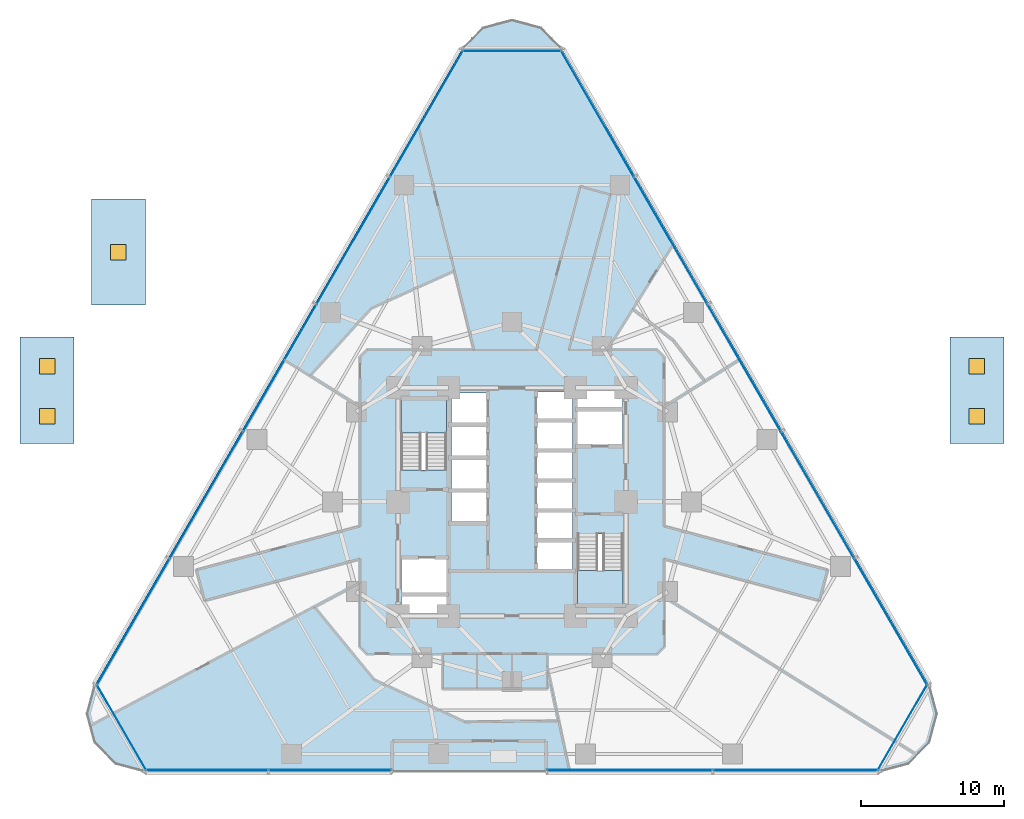
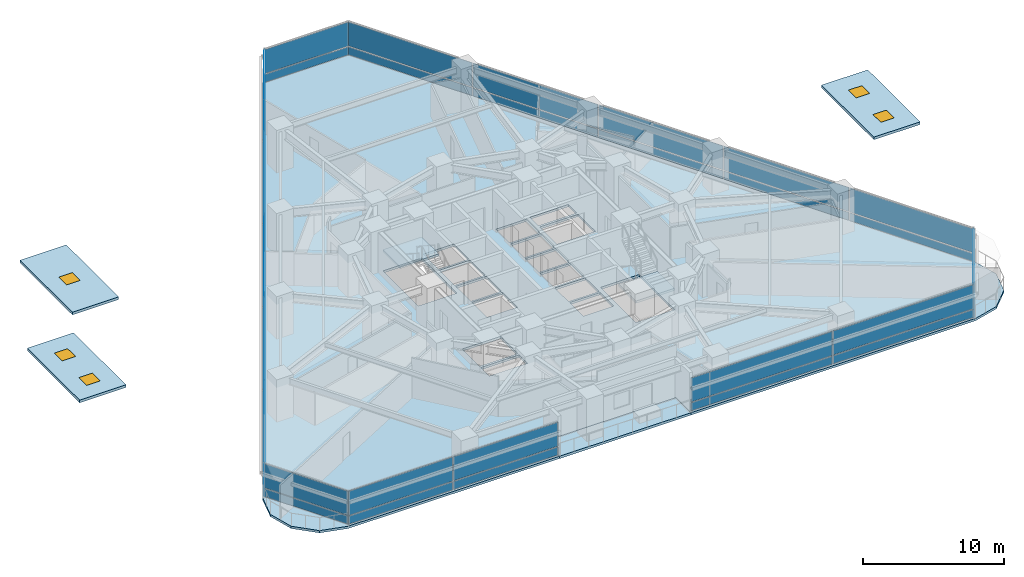
# One storey, part 7 of 16: 34 plates, 7 slabs, 5 doors, 5 openings, 9 elements without a shape of their own.
"""IFC4 building model written with IfcOpenShell, lengths in metres."""

from ifc_helpers import new_model, si_unit, direction, frame, origin, origin_2d, place, context, subcontext, project, spatial, polyline, rectangle, outline, extrude, material, layer, layer_set, type_object, element, fill, aggregate, save


model = new_model("IFC4")

# Units and contexts
model_context = context("Model", 3, precision=1e-05, world=origin(), true_north=direction((0.0, 1.0)))
body_context = subcontext(model_context, "Body", "Model", "MODEL_VIEW")
ifc_project = project(units=[si_unit("LENGTHUNIT", "METRE"), si_unit("AREAUNIT", "SQUARE_METRE"), si_unit("VOLUMEUNIT", "CUBIC_METRE"), si_unit("PLANEANGLEUNIT", "RADIAN"), si_unit("MASSUNIT", "GRAM", prefix="KILO")], contexts=[model_context])

# Site, building, storey
site_placement = place(None, origin())
site = spatial("IfcSite", under=ifc_project, at=site_placement, CompositionType="ELEMENT")
building_placement = place(site_placement, origin())
building = spatial("IfcBuilding", under=site, at=building_placement, Name="Terralouvre Media Tower", CompositionType="ELEMENT")
storey_placement = place(building_placement, frame((0.0, 0.0, 29.699951171875)))
storey = spatial("IfcBuildingStorey", under=building, at=storey_placement, Name="L06", CompositionType="ELEMENT", Elevation=29.699951171875)

# Slab
ifc_material_1 = material(Name="Concrete C40/50", Category="concrete")
ifc_layer_1 = layer(ifc_material_1, 0.199951171875, Name="Composite Tower Floor Slab S-TYP200")
ifc_layer_set_1 = layer_set([ifc_layer_1], Name="Concrete C40/50")
slab_type_1 = type_object("IfcSlabType", Name="Composite Tower Floor Slab S-TYP200", PredefinedType="FLOOR", material=ifc_layer_set_1)
slab_1_placement = place(storey_placement, frame((0.0, 0.0, -0.199951171875)))
element("IfcSlab", 1, at=slab_1_placement, inside=storey, type_object=slab_type_1, Name="L06 Structural Floor Slab", PredefinedType="FLOOR", context=body_context, shape_type="SweptSolid", body=[
    extrude(outline(polyline([(-25.75, -18.916748046875), (-8.39990234375, -18.916748046875), (-8.39990234375, -16.766845703125), (2.39990234375, -16.766845703125), (2.39990234375, -18.916748046875), (25.75, -18.916748046875), (27.77490234375, -18.374267578125), (29.25732421875, -16.891845703125), (29.800048828125, -14.86669921875), (29.25732421875, -12.841796875), (3.50732421875, 31.758544921875), (2.02490234375, 33.240966796875), (0.0, 33.783447265625), (-2.02490234375, 33.240966796875), (-3.50732421875, 31.758544921875), (-29.25732421875, -12.841796875), (-29.800048828125, -14.86669921875), (-29.25732421875, -16.891845703125), (-27.77490234375, -18.374267578125), (-25.75, -18.916748046875)]), holes=[polyline([(-4.60009765625, -7.800048828125), (-7.75, -7.800048828125), (-7.75, -6.60009765625), (-4.60009765625, -6.60009765625), (-4.60009765625, -7.800048828125)]), polyline([(-4.60009765625, -6.39990234375), (-7.75, -6.39990234375), (-7.75, -3.949951171875), (-4.60009765625, -3.949951171875), (-4.60009765625, -6.39990234375)]), polyline([(-1.75, -1.419921875), (-4.25, -1.419921875), (-4.25, 0.719970703125), (-1.75, 0.719970703125), (-1.75, -1.419921875)]), polyline([(-1.75, 0.8798828125), (-4.25, 0.8798828125), (-4.25, 3.02001953125), (-1.75, 3.02001953125), (-1.75, 0.8798828125)]), polyline([(4.25, 1.580078125), (1.75, 1.580078125), (1.75, 3.52001953125), (4.25, 3.52001953125), (4.25, 1.580078125)]), polyline([(-1.75, 3.179931640625), (-4.25, 3.179931640625), (-4.25, 5.320068359375), (-1.75, 5.320068359375), (-1.75, 3.179931640625)]), polyline([(-4.60009765625, 2.2451171875), (-7.780029296875, 2.2451171875), (-7.780029296875, 7.260009765625), (-4.60009765625, 7.260009765625), (-4.60009765625, 2.2451171875)]), polyline([(-1.75, 5.47998046875), (-4.25, 5.47998046875), (-4.25, 7.6201171875), (-1.75, 7.6201171875), (-1.75, 5.47998046875)]), polyline([(4.60009765625, -2.2451171875), (7.780029296875, -2.2451171875), (7.780029296875, -7.260009765625), (4.60009765625, -7.260009765625), (4.60009765625, -2.2451171875)]), polyline([(4.25, -4.719970703125), (1.75, -4.719970703125), (1.75, -2.780029296875), (4.25, -2.780029296875), (4.25, -4.719970703125)]), polyline([(4.25, -2.6201171875), (1.75, -2.6201171875), (1.75, -0.679931640625), (4.25, -0.679931640625), (4.25, -2.6201171875)]), polyline([(4.25, -0.52001953125), (1.75, -0.52001953125), (1.75, 1.419921875), (4.25, 1.419921875), (4.25, -0.52001953125)]), polyline([(4.25, 3.679931640625), (1.75, 3.679931640625), (1.75, 5.6201171875), (4.25, 5.6201171875), (4.25, 3.679931640625)]), polyline([(7.75, 3.949951171875), (4.60009765625, 3.949951171875), (4.60009765625, 6.39990234375), (7.75, 6.39990234375), (7.75, 3.949951171875)]), polyline([(4.25, 5.780029296875), (1.75, 5.780029296875), (1.75, 7.719970703125), (4.25, 7.719970703125), (4.25, 5.780029296875)]), polyline([(7.75, 6.60009765625), (4.60009765625, 6.60009765625), (4.60009765625, 7.800048828125), (7.75, 7.800048828125), (7.75, 6.60009765625)])]), origin(), (0.0, 0.0, 1.0), 0.199951171875),
])

# Slab, openings, doors
ifc_material_2 = material(Name="Concrete C40/50", Category="concrete")
ifc_layer_2 = layer(ifc_material_2, 0.179931640625, Name="Crown Apex Roof Cap Slab S-CAP180")
ifc_layer_set_2 = layer_set([ifc_layer_2], Name="Concrete C40/50")
slab_type_2 = type_object("IfcSlabType", Name="Crown Apex Roof Cap Slab S-CAP180", PredefinedType="ROOF", material=ifc_layer_set_2)
slab_2_placement = place(storey_placement, frame((0.0, 0.0, -0.179931640625)))
slab_2 = element("IfcSlab", 2, at=slab_2_placement, inside=storey, type_object=slab_type_2, Name="L06 ST03 Pavilion Headhouse Cap Slab", PredefinedType="ROOF", context=body_context, shape_type="SweptSolid", body=[
    extrude(outline(polyline([(-34.5, 4.10009765625), (-30.699951171875, 4.10009765625), (-30.699951171875, 11.550048828125), (-34.5, 11.550048828125), (-34.5, 4.10009765625)])), origin(), (0.0, 0.0, 1.0), 0.22998046875),
])
opening_1_placement = place(slab_2_placement, frame((-32.60009765625, 6.0, 0.0)))
opening_1 = element("IfcOpeningElement", 3, at=opening_1_placement, cuts=slab_2, Name="Opening RH-01", PredefinedType="OPENING", context=body_context, shape_type="SweptSolid", body=[
    extrude(rectangle(XDim=1.10009765625, YDim=1.10009765625, at=origin_2d()), origin(), (0.0, 0.0, 1.0), 0.22998046875),
])
opening_2_placement = place(slab_2_placement, frame((-32.60009765625, 9.5, 0.0)))
opening_2 = element("IfcOpeningElement", 4, at=opening_2_placement, cuts=slab_2, Name="Opening RH-01", PredefinedType="OPENING", context=body_context, shape_type="SweptSolid", body=[
    extrude(rectangle(XDim=1.10009765625, YDim=1.10009765625, at=origin_2d()), origin(), (0.0, 0.0, 1.0), 0.22998046875),
])
ifc_material_3 = material(Name="Galvanised steel sheet and fire-rated mineral core", Category="steel")
door_type = type_object("IfcDoorType", Name="Insulated Roof Maintenance Access Hatch RH-01", OperationType="NOTDEFINED", PredefinedType="TRAPDOOR", material=ifc_material_3)
door_1_placement = place(opening_1_placement, frame((0.0, 0.0, 0.179931640625)))
door_1 = element("IfcDoor", 5, at=door_1_placement, inside=storey, type_object=door_type, Name="ST-03 Headhouse South Maintenance Hatch", OperationType="SINGLE_SWING_LEFT", OverallHeight=1.10009765625, OverallWidth=1.10009765625, PredefinedType="TRAPDOOR", context=body_context, shape_type="SweptSolid", body=[
    extrude(rectangle(XDim=1.10009765625, YDim=1.10009765625, at=origin_2d()), origin(), (0.0, 0.0, 1.0), 0.050048828125),
])
fill(opening_1, door_1)
door_2_placement = place(opening_2_placement, frame((0.0, 0.0, 0.179931640625)))
door_2 = element("IfcDoor", 6, at=door_2_placement, inside=storey, type_object=door_type, Name="ST-03 Headhouse North Maintenance Hatch", OperationType="SINGLE_SWING_LEFT", OverallHeight=1.10009765625, OverallWidth=1.10009765625, PredefinedType="TRAPDOOR", context=body_context, shape_type="SweptSolid", body=[
    extrude(rectangle(XDim=1.10009765625, YDim=1.10009765625, at=origin_2d()), origin(), (0.0, 0.0, 1.0), 0.050048828125),
])
fill(opening_2, door_2)

slab_3_placement = place(storey_placement, frame((0.0, 0.0, -0.179931640625)))
slab_3 = element("IfcSlab", 7, at=slab_3_placement, inside=storey, type_object=slab_type_2, Name="L06 ST04 Pavilion Headhouse Cap Slab", PredefinedType="ROOF", context=body_context, shape_type="SweptSolid", body=[
    extrude(outline(polyline([(30.699951171875, 4.10009765625), (34.5, 4.10009765625), (34.5, 11.550048828125), (30.699951171875, 11.550048828125), (30.699951171875, 4.10009765625)])), origin(), (0.0, 0.0, 1.0), 0.22998046875),
])
opening_3_placement = place(slab_3_placement, frame((32.60009765625, 6.0, 0.0)))
opening_3 = element("IfcOpeningElement", 8, at=opening_3_placement, cuts=slab_3, Name="Opening RH-01", PredefinedType="OPENING", context=body_context, shape_type="SweptSolid", body=[
    extrude(rectangle(XDim=1.10009765625, YDim=1.10009765625, at=origin_2d()), origin(), (0.0, 0.0, 1.0), 0.22998046875),
])
opening_4_placement = place(slab_3_placement, frame((32.60009765625, 9.5, 0.0)))
opening_4 = element("IfcOpeningElement", 9, at=opening_4_placement, cuts=slab_3, Name="Opening RH-01", PredefinedType="OPENING", context=body_context, shape_type="SweptSolid", body=[
    extrude(rectangle(XDim=1.10009765625, YDim=1.10009765625, at=origin_2d()), origin(), (0.0, 0.0, 1.0), 0.22998046875),
])
door_3_placement = place(opening_3_placement, frame((0.0, 0.0, 0.179931640625)))
door_3 = element("IfcDoor", 10, at=door_3_placement, inside=storey, type_object=door_type, Name="ST-04 Headhouse South Maintenance Hatch", OperationType="SINGLE_SWING_LEFT", OverallHeight=1.10009765625, OverallWidth=1.10009765625, PredefinedType="TRAPDOOR", context=body_context, shape_type="SweptSolid", body=[
    extrude(rectangle(XDim=1.10009765625, YDim=1.10009765625, at=origin_2d()), origin(), (0.0, 0.0, 1.0), 0.050048828125),
])
fill(opening_3, door_3)
door_4_placement = place(opening_4_placement, frame((0.0, 0.0, 0.179931640625)))
door_4 = element("IfcDoor", 11, at=door_4_placement, inside=storey, type_object=door_type, Name="ST-04 Headhouse North Maintenance Hatch", OperationType="SINGLE_SWING_LEFT", OverallHeight=1.10009765625, OverallWidth=1.10009765625, PredefinedType="TRAPDOOR", context=body_context, shape_type="SweptSolid", body=[
    extrude(rectangle(XDim=1.10009765625, YDim=1.10009765625, at=origin_2d()), origin(), (0.0, 0.0, 1.0), 0.050048828125),
])
fill(opening_4, door_4)

# Slab, opening, door
slab_4_placement = place(storey_placement, frame((0.0, 0.0, -0.179931640625)))
slab_4 = element("IfcSlab", 12, at=slab_4_placement, inside=storey, type_object=slab_type_2, Name="L06 ST06 Pavilion Headhouse Cap Slab", PredefinedType="ROOF", context=body_context, shape_type="SweptSolid", body=[
    extrude(outline(polyline([(-29.5, 13.800048828125), (-25.699951171875, 13.800048828125), (-25.699951171875, 21.25), (-29.5, 21.25), (-29.5, 13.800048828125)])), origin(), (0.0, 0.0, 1.0), 0.22998046875),
])
opening_5_placement = place(slab_4_placement, frame((-27.60009765625, 17.5, 0.0)))
opening_5 = element("IfcOpeningElement", 13, at=opening_5_placement, cuts=slab_4, Name="Opening RH-01", PredefinedType="OPENING", context=body_context, shape_type="SweptSolid", body=[
    extrude(rectangle(XDim=1.10009765625, YDim=1.10009765625, at=origin_2d()), origin(), (0.0, 0.0, 1.0), 0.22998046875),
])
door_5_placement = place(opening_5_placement, frame((0.0, 0.0, 0.179931640625)))
door_5 = element("IfcDoor", 14, at=door_5_placement, inside=storey, type_object=door_type, Name="ST-06 Headhouse Maintenance Hatch", OperationType="SINGLE_SWING_LEFT", OverallHeight=1.10009765625, OverallWidth=1.10009765625, PredefinedType="TRAPDOOR", context=body_context, shape_type="SweptSolid", body=[
    extrude(rectangle(XDim=1.10009765625, YDim=1.10009765625, at=origin_2d()), origin(), (0.0, 0.0, 1.0), 0.050048828125),
])
fill(opening_5, door_5)

# Slab
ifc_material_4 = material(Name="Concrete C45/55", Category="concrete")
ifc_layer_3 = layer(ifc_material_4, 0.2099609375, Name="Planted Sky-Garden External Deck S-TER210")
ifc_layer_set_3 = layer_set([ifc_layer_3], Name="Concrete C45/55")
slab_type_3 = type_object("IfcSlabType", Name="Planted Sky-Garden External Deck S-TER210", PredefinedType="FLOOR", material=ifc_layer_set_3)
slab_5_placement = place(storey_placement, frame((0.0, 0.0, -0.2099609375)))
element("IfcSlab", 15, at=slab_5_placement, inside=storey, type_object=slab_type_3, Name="L06 Helical Planted Sky-Garden Deck 01", PredefinedType="FLOOR", context=body_context, shape_type="SweptSolid", body=[
    extrude(outline(polyline([(-8.39990234375, -18.916748046875), (2.39990234375, -18.916748046875), (2.39990234375, -16.766845703125), (-8.39990234375, -16.766845703125), (-8.39990234375, -18.916748046875)])), origin(), (0.0, 0.0, 1.0), 0.2099609375),
])

# Stair, slab
ifc_material_5 = material(Name="Concrete C45/55", Category="concrete")
stair_type_1 = type_object("IfcStairType", Name="Dogleg Stair Assembly ST-01", PredefinedType="HALF_TURN_STAIR", material=ifc_material_5)
stair_1_placement = place(storey_placement, origin())
stair_1 = element("IfcStair", 16, at=stair_1_placement, inside=storey, type_object=stair_type_1, Name="L06 Core Pressurised Exit Stair ST-01", PredefinedType="HALF_TURN_STAIR")
ifc_material_6 = material(Name="Concrete C45/55", Category="concrete")
ifc_layer_4 = layer(ifc_material_6, 0.199951171875, Name="Reinforced Concrete Stair Half-Landing SL-LD1")
ifc_layer_set_4 = layer_set([ifc_layer_4], Name="Concrete C45/55")
slab_type_4 = type_object("IfcSlabType", Name="Reinforced Concrete Stair Half-Landing SL-LD1", PredefinedType="LANDING", material=ifc_layer_set_4)
slab_6_placement = place(storey_placement, frame((0.0, 0.0, 1.650146484375)))
slab_6 = element("IfcSlab", 17, at=slab_6_placement, type_object=slab_type_4, Name="ST-01 landing 1", PredefinedType="LANDING", context=body_context, shape_type="SweptSolid", body=[
    extrude(outline(polyline([(-4.60009765625, 4.820068359375), (-4.60009765625, 7.260009765625), (-7.780029296875, 7.260009765625), (-7.780029296875, 4.820068359375), (-4.60009765625, 4.820068359375)])), origin(), (0.0, 0.0, 1.0), 0.199951171875),
])
aggregate(stair_1, [slab_6])

ifc_material_7 = material(Name="Concrete C45/55", Category="concrete")
stair_type_2 = type_object("IfcStairType", Name="Dogleg Stair Assembly ST-02", PredefinedType="HALF_TURN_STAIR", material=ifc_material_7)
stair_2_placement = place(storey_placement, origin())
stair_2 = element("IfcStair", 18, at=stair_2_placement, inside=storey, type_object=stair_type_2, Name="L06 Core Pressurised Exit Stair ST-02", PredefinedType="HALF_TURN_STAIR")
slab_7_placement = place(storey_placement, frame((0.0, 0.0, 1.650146484375)))
slab_7 = element("IfcSlab", 19, at=slab_7_placement, type_object=slab_type_4, Name="ST-02 landing 1", PredefinedType="LANDING", context=body_context, shape_type="SweptSolid", body=[
    extrude(outline(polyline([(4.60009765625, -4.820068359375), (4.60009765625, -7.260009765625), (7.780029296875, -7.260009765625), (7.780029296875, -4.820068359375), (4.60009765625, -4.820068359375)])), origin(), (0.0, 0.0, 1.0), 0.199951171875),
])
aggregate(stair_2, [slab_7])

# Curtain wall, plates
ifc_material_8 = material(Name="Low-iron laminated double glazing with solar-control coating", Category="glass")
ifc_layer_5 = layer(ifc_material_8, 0.1650390625, Name="Rounded Wind-Corner Curved Glazing CW-04")
ifc_layer_set_5 = layer_set([ifc_layer_5], Name="Low-iron laminated double glazing with solar-control coating")
curtain_wall_type_1 = type_object("IfcCurtainWallType", Name="Rounded Wind-Corner Curved Glazing CW-04", PredefinedType="NOTDEFINED", material=ifc_layer_set_5)
curtain_wall_1_placement = place(storey_placement, origin())
curtain_wall_1 = element("IfcCurtainWall", 20, at=curtain_wall_1_placement, inside=storey, type_object=curtain_wall_type_1, Name="L06 Rounded Wind-Corner Curtain Wall C0", PredefinedType="NOTDEFINED")
ifc_material_9 = material(Name="Low-iron laminated double glazing with solar-control coating", Category="glass")
ifc_layer_6 = layer(ifc_material_9, 0.0400390625, Name="Rounded Corner Laminated Vision Panel CWP-03")
ifc_layer_set_6 = layer_set([ifc_layer_6], Name="Low-iron laminated double glazing with solar-control coating")
plate_type_1 = type_object("IfcPlateType", Name="Rounded Corner Laminated Vision Panel CWP-03", PredefinedType="CURTAIN_PANEL", material=ifc_layer_set_6)
plate_1_placement = place(storey_placement, frame((-27.382568359375, -15.809326171875, 0.074951171875), z_axis=(0.0, 0.0, 1.0), x_axis=(0.499999691503, -0.866025581895, 0.0)))
plate_1 = element("IfcPlate", 21, at=plate_1_placement, type_object=plate_type_1, Name="CW-04 panel 1.1", PredefinedType="CURTAIN_PANEL", context=body_context, shape_type="SweptSolid", body=[
    extrude(rectangle(XDim=6.86474609375, YDim=0.035888671875, at=origin_2d()), origin(), (0.0, 0.0, 1.0), 0.6875),
])
plate_2_placement = place(storey_placement, frame((-27.382568359375, -15.809326171875, 0.837646484375), z_axis=(0.0, 0.0, 1.0), x_axis=(0.499999691503, -0.866025581895, 0.0)))
plate_2 = element("IfcPlate", 22, at=plate_2_placement, type_object=plate_type_1, Name="CW-04 panel 1.2", PredefinedType="CURTAIN_PANEL", context=body_context, shape_type="SweptSolid", body=[
    extrude(rectangle(XDim=6.86474609375, YDim=0.035888671875, at=origin_2d()), origin(), (0.0, 0.0, 1.0), 2.08740234375),
])
aggregate(curtain_wall_1, [plate_1, plate_2])

curtain_wall_2_placement = place(storey_placement, origin())
curtain_wall_2 = element("IfcCurtainWall", 23, at=curtain_wall_2_placement, inside=storey, type_object=curtain_wall_type_1, Name="L06 Rounded Wind-Corner Curtain Wall C1", PredefinedType="NOTDEFINED")
plate_3_placement = place(storey_placement, frame((27.382568359375, -15.809326171875, 0.074951171875), z_axis=(0.0, 0.0, 1.0), x_axis=(0.499999691503, 0.866025581895, 0.0)))
plate_3 = element("IfcPlate", 24, at=plate_3_placement, type_object=plate_type_1, Name="CW-04 panel 1.1", PredefinedType="CURTAIN_PANEL", context=body_context, shape_type="SweptSolid", body=[
    extrude(rectangle(XDim=6.86474609375, YDim=0.035888671875, at=origin_2d()), origin(), (0.0, 0.0, 1.0), 0.6875),
])
plate_4_placement = place(storey_placement, frame((27.382568359375, -15.809326171875, 0.837646484375), z_axis=(0.0, 0.0, 1.0), x_axis=(0.499999691503, 0.866025581895, 0.0)))
plate_4 = element("IfcPlate", 25, at=plate_4_placement, type_object=plate_type_1, Name="CW-04 panel 1.2", PredefinedType="CURTAIN_PANEL", context=body_context, shape_type="SweptSolid", body=[
    extrude(rectangle(XDim=6.86474609375, YDim=0.035888671875, at=origin_2d()), origin(), (0.0, 0.0, 1.0), 2.08740234375),
])
aggregate(curtain_wall_2, [plate_3, plate_4])

curtain_wall_3_placement = place(storey_placement, origin())
curtain_wall_3 = element("IfcCurtainWall", 26, at=curtain_wall_3_placement, inside=storey, type_object=curtain_wall_type_1, Name="L06 Rounded Wind-Corner Curtain Wall C2", PredefinedType="NOTDEFINED")
plate_5_placement = place(storey_placement, frame((0.0, 31.61865234375, 0.074951171875), z_axis=(0.0, 0.0, 1.0), x_axis=(-1.0, 0.0, 0.0)))
plate_5 = element("IfcPlate", 27, at=plate_5_placement, type_object=plate_type_1, Name="CW-04 panel 1.1", PredefinedType="CURTAIN_PANEL", context=body_context, shape_type="SweptSolid", body=[
    extrude(rectangle(XDim=6.86474609375, YDim=0.035888671875, at=origin_2d()), origin(), (0.0, 0.0, 1.0), 0.6875),
])
plate_6_placement = place(storey_placement, frame((0.0, 31.61865234375, 0.837646484375), z_axis=(0.0, 0.0, 1.0), x_axis=(-1.0, 0.0, 0.0)))
plate_6 = element("IfcPlate", 28, at=plate_6_placement, type_object=plate_type_1, Name="CW-04 panel 1.2", PredefinedType="CURTAIN_PANEL", context=body_context, shape_type="SweptSolid", body=[
    extrude(rectangle(XDim=6.86474609375, YDim=0.035888671875, at=origin_2d()), origin(), (0.0, 0.0, 1.0), 2.08740234375),
])
aggregate(curtain_wall_3, [plate_5, plate_6])

ifc_material_10 = material(Name="Low-iron laminated double glazing with solar-control coating", Category="glass")
ifc_layer_7 = layer(ifc_material_10, 0.1650390625, Name="Lower Media Tower Unitised Curtain Wall CW-02")
ifc_layer_set_7 = layer_set([ifc_layer_7], Name="Low-iron laminated double glazing with solar-control coating")
curtain_wall_type_2 = type_object("IfcCurtainWallType", Name="Lower Media Tower Unitised Curtain Wall CW-02", PredefinedType="NOTDEFINED", material=ifc_layer_set_7)
curtain_wall_4_placement = place(storey_placement, origin())
curtain_wall_4 = element("IfcCurtainWall", 29, at=curtain_wall_4_placement, inside=storey, type_object=curtain_wall_type_2, Name="L06 Left Flank Curtain Wall F0", PredefinedType="NOTDEFINED")
ifc_material_11 = material(Name="Low-iron laminated double glazing with solar-control coating", Category="glass")
ifc_layer_8 = layer(ifc_material_11, 0.035888671875, Name="Vision Double-Glazed Unit CWP-01")
ifc_layer_set_8 = layer_set([ifc_layer_8], Name="Low-iron laminated double glazing with solar-control coating")
plate_type_2 = type_object("IfcPlateType", Name="Vision Double-Glazed Unit CWP-01", PredefinedType="CURTAIN_PANEL", material=ifc_layer_set_8)
plate_7_placement = place(storey_placement, frame((-21.393798828125, -18.796875, 0.074951171875), z_axis=(0.0, 0.0, 1.0), x_axis=(1.0, 0.0, 0.0)))
plate_7 = element("IfcPlate", 30, at=plate_7_placement, type_object=plate_type_2, Name="CW-02 panel 1.1", PredefinedType="CURTAIN_PANEL", context=body_context, shape_type="SweptSolid", body=[
    extrude(rectangle(XDim=8.5625, YDim=0.035888671875, at=origin_2d()), origin(), (0.0, 0.0, 1.0), 0.6875),
])
plate_8_placement = place(storey_placement, frame((-21.393798828125, -18.796875, 0.837646484375), z_axis=(0.0, 0.0, 1.0), x_axis=(1.0, 0.0, 0.0)))
plate_8 = element("IfcPlate", 31, at=plate_8_placement, type_object=plate_type_2, Name="CW-02 panel 1.2", PredefinedType="CURTAIN_PANEL", context=body_context, shape_type="SweptSolid", body=[
    extrude(rectangle(XDim=8.5625, YDim=0.035888671875, at=origin_2d()), origin(), (0.0, 0.0, 1.0), 2.08740234375),
])
plate_9_placement = place(storey_placement, frame((-12.75634765625, -18.796875, 0.074951171875), z_axis=(0.0, 0.0, 1.0), x_axis=(1.0, 0.0, 0.0)))
plate_9 = element("IfcPlate", 32, at=plate_9_placement, type_object=plate_type_2, Name="CW-02 panel 2.1", PredefinedType="CURTAIN_PANEL", context=body_context, shape_type="SweptSolid", body=[
    extrude(rectangle(XDim=8.5625, YDim=0.035888671875, at=origin_2d()), origin(), (0.0, 0.0, 1.0), 0.6875),
])
plate_10_placement = place(storey_placement, frame((-12.75634765625, -18.796875, 0.837646484375), z_axis=(0.0, 0.0, 1.0), x_axis=(1.0, 0.0, 0.0)))
plate_10 = element("IfcPlate", 33, at=plate_10_placement, type_object=plate_type_2, Name="CW-02 panel 2.2", PredefinedType="CURTAIN_PANEL", context=body_context, shape_type="SweptSolid", body=[
    extrude(rectangle(XDim=8.5625, YDim=0.035888671875, at=origin_2d()), origin(), (0.0, 0.0, 1.0), 2.08740234375),
])
aggregate(curtain_wall_4, [plate_7, plate_8, plate_9, plate_10])

curtain_wall_5_placement = place(storey_placement, origin())
curtain_wall_5 = element("IfcCurtainWall", 34, at=curtain_wall_5_placement, inside=storey, type_object=curtain_wall_type_2, Name="L06 Right Flank Curtain Wall F0", PredefinedType="NOTDEFINED")
plate_11_placement = place(storey_placement, frame((8.25634765625, -18.796875, 0.074951171875), z_axis=(0.0, 0.0, 1.0), x_axis=(1.0, 0.0, 0.0)))
plate_11 = element("IfcPlate", 35, at=plate_11_placement, type_object=plate_type_2, Name="CW-02 panel 1.1", PredefinedType="CURTAIN_PANEL", context=body_context, shape_type="SweptSolid", body=[
    extrude(rectangle(XDim=11.5625, YDim=0.035888671875, at=origin_2d()), origin(), (0.0, 0.0, 1.0), 0.6875),
])
plate_12_placement = place(storey_placement, frame((8.25634765625, -18.796875, 0.837646484375), z_axis=(0.0, 0.0, 1.0), x_axis=(1.0, 0.0, 0.0)))
plate_12 = element("IfcPlate", 36, at=plate_12_placement, type_object=plate_type_2, Name="CW-02 panel 1.2", PredefinedType="CURTAIN_PANEL", context=body_context, shape_type="SweptSolid", body=[
    extrude(rectangle(XDim=11.5625, YDim=0.035888671875, at=origin_2d()), origin(), (0.0, 0.0, 1.0), 2.08740234375),
])
plate_13_placement = place(storey_placement, frame((19.893798828125, -18.796875, 0.074951171875), z_axis=(0.0, 0.0, 1.0), x_axis=(1.0, 0.0, 0.0)))
plate_13 = element("IfcPlate", 37, at=plate_13_placement, type_object=plate_type_2, Name="CW-02 panel 2.1", PredefinedType="CURTAIN_PANEL", context=body_context, shape_type="SweptSolid", body=[
    extrude(rectangle(XDim=11.5625, YDim=0.035888671875, at=origin_2d()), origin(), (0.0, 0.0, 1.0), 0.6875),
])
plate_14_placement = place(storey_placement, frame((19.893798828125, -18.796875, 0.837646484375), z_axis=(0.0, 0.0, 1.0), x_axis=(1.0, 0.0, 0.0)))
plate_14 = element("IfcPlate", 38, at=plate_14_placement, type_object=plate_type_2, Name="CW-02 panel 2.2", PredefinedType="CURTAIN_PANEL", context=body_context, shape_type="SweptSolid", body=[
    extrude(rectangle(XDim=11.5625, YDim=0.035888671875, at=origin_2d()), origin(), (0.0, 0.0, 1.0), 2.08740234375),
])
aggregate(curtain_wall_5, [plate_11, plate_12, plate_13, plate_14])

curtain_wall_6_placement = place(storey_placement, origin())
curtain_wall_6 = element("IfcCurtainWall", 39, at=curtain_wall_6_placement, inside=storey, type_object=curtain_wall_type_2, Name="L06 Facade Curtain Wall F1", PredefinedType="NOTDEFINED")
plate_15_placement = place(storey_placement, frame((26.569091796875, -8.425537109375, 0.074951171875), z_axis=(0.0, 0.0, 1.0), x_axis=(-0.499999985671, 0.866025412057, 0.0)))
plate_15 = element("IfcPlate", 40, at=plate_15_placement, type_object=plate_type_2, Name="CW-02 panel 1.1", PredefinedType="CURTAIN_PANEL", context=body_context, shape_type="SweptSolid", body=[
    extrude(rectangle(XDim=10.1875, YDim=0.035888671875, at=origin_2d()), origin(), (0.0, 0.0, 1.0), 0.6875),
])
plate_16_placement = place(storey_placement, frame((26.569091796875, -8.425537109375, 0.837646484375), z_axis=(0.0, 0.0, 1.0), x_axis=(-0.499999985671, 0.866025412057, 0.0)))
plate_16 = element("IfcPlate", 41, at=plate_16_placement, type_object=plate_type_2, Name="CW-02 panel 1.2", PredefinedType="CURTAIN_PANEL", context=body_context, shape_type="SweptSolid", body=[
    extrude(rectangle(XDim=10.1875, YDim=0.035888671875, at=origin_2d()), origin(), (0.0, 0.0, 1.0), 2.08740234375),
])
plate_17_placement = place(storey_placement, frame((21.428466796875, 0.478271484375, 0.074951171875), z_axis=(0.0, 0.0, 1.0), x_axis=(-0.499999985671, 0.866025412057, 0.0)))
plate_17 = element("IfcPlate", 42, at=plate_17_placement, type_object=plate_type_2, Name="CW-02 panel 2.1", PredefinedType="CURTAIN_PANEL", context=body_context, shape_type="SweptSolid", body=[
    extrude(rectangle(XDim=10.22509765625, YDim=0.035888671875, at=origin_2d()), origin(), (0.0, 0.0, 1.0), 0.6875),
])
plate_18_placement = place(storey_placement, frame((21.428466796875, 0.478271484375, 0.837646484375), z_axis=(0.0, 0.0, 1.0), x_axis=(-0.499999985671, 0.866025412057, 0.0)))
plate_18 = element("IfcPlate", 43, at=plate_18_placement, type_object=plate_type_2, Name="CW-02 panel 2.2", PredefinedType="CURTAIN_PANEL", context=body_context, shape_type="SweptSolid", body=[
    extrude(rectangle(XDim=10.22509765625, YDim=0.035888671875, at=origin_2d()), origin(), (0.0, 0.0, 1.0), 2.08740234375),
])
plate_19_placement = place(storey_placement, frame((16.278564453125, 9.3984375, 0.074951171875), z_axis=(0.0, 0.0, 1.0), x_axis=(-0.499999985671, 0.866025412057, 0.0)))
plate_19 = element("IfcPlate", 44, at=plate_19_placement, type_object=plate_type_2, Name="CW-02 panel 3.1", PredefinedType="CURTAIN_PANEL", context=body_context, shape_type="SweptSolid", body=[
    extrude(rectangle(XDim=10.22509765625, YDim=0.035888671875, at=origin_2d()), origin(), (0.0, 0.0, 1.0), 0.6875),
])
plate_20_placement = place(storey_placement, frame((16.278564453125, 9.3984375, 0.837646484375), z_axis=(0.0, 0.0, 1.0), x_axis=(-0.499999985671, 0.866025412057, 0.0)))
plate_20 = element("IfcPlate", 45, at=plate_20_placement, type_object=plate_type_2, Name="CW-02 panel 3.2", PredefinedType="CURTAIN_PANEL", context=body_context, shape_type="SweptSolid", body=[
    extrude(rectangle(XDim=10.22509765625, YDim=0.035888671875, at=origin_2d()), origin(), (0.0, 0.0, 1.0), 2.08740234375),
])
plate_21_placement = place(storey_placement, frame((11.12841796875, 18.318359375, 0.074951171875), z_axis=(0.0, 0.0, 1.0), x_axis=(-0.499999985671, 0.866025412057, 0.0)))
plate_21 = element("IfcPlate", 46, at=plate_21_placement, type_object=plate_type_2, Name="CW-02 panel 4.1", PredefinedType="CURTAIN_PANEL", context=body_context, shape_type="SweptSolid", body=[
    extrude(rectangle(XDim=10.22509765625, YDim=0.035888671875, at=origin_2d()), origin(), (0.0, 0.0, 1.0), 0.6875),
])
plate_22_placement = place(storey_placement, frame((11.12841796875, 18.318359375, 0.837646484375), z_axis=(0.0, 0.0, 1.0), x_axis=(-0.499999985671, 0.866025412057, 0.0)))
plate_22 = element("IfcPlate", 47, at=plate_22_placement, type_object=plate_type_2, Name="CW-02 panel 4.2", PredefinedType="CURTAIN_PANEL", context=body_context, shape_type="SweptSolid", body=[
    extrude(rectangle(XDim=10.22509765625, YDim=0.035888671875, at=origin_2d()), origin(), (0.0, 0.0, 1.0), 2.08740234375),
])
plate_23_placement = place(storey_placement, frame((5.98779296875, 27.22216796875, 0.074951171875), z_axis=(0.0, 0.0, 1.0), x_axis=(-0.499999985671, 0.866025412057, 0.0)))
plate_23 = element("IfcPlate", 48, at=plate_23_placement, type_object=plate_type_2, Name="CW-02 panel 5.1", PredefinedType="CURTAIN_PANEL", context=body_context, shape_type="SweptSolid", body=[
    extrude(rectangle(XDim=10.1875, YDim=0.035888671875, at=origin_2d()), origin(), (0.0, 0.0, 1.0), 0.6875),
])
plate_24_placement = place(storey_placement, frame((5.98779296875, 27.22216796875, 0.837646484375), z_axis=(0.0, 0.0, 1.0), x_axis=(-0.499999985671, 0.866025412057, 0.0)))
plate_24 = element("IfcPlate", 49, at=plate_24_placement, type_object=plate_type_2, Name="CW-02 panel 5.2", PredefinedType="CURTAIN_PANEL", context=body_context, shape_type="SweptSolid", body=[
    extrude(rectangle(XDim=10.1875, YDim=0.035888671875, at=origin_2d()), origin(), (0.0, 0.0, 1.0), 2.08740234375),
])
aggregate(curtain_wall_6, [plate_15, plate_16, plate_17, plate_18, plate_19, plate_20, plate_21, plate_22, plate_23, plate_24])

curtain_wall_7_placement = place(storey_placement, origin())
curtain_wall_7 = element("IfcCurtainWall", 50, at=curtain_wall_7_placement, inside=storey, type_object=curtain_wall_type_2, Name="L06 Facade Curtain Wall F2", PredefinedType="NOTDEFINED")
plate_25_placement = place(storey_placement, frame((-5.98779296875, 27.22216796875, 0.074951171875), z_axis=(0.0, 0.0, 1.0), x_axis=(-0.499999985671, -0.866025412057, 0.0)))
plate_25 = element("IfcPlate", 51, at=plate_25_placement, type_object=plate_type_2, Name="CW-02 panel 1.1", PredefinedType="CURTAIN_PANEL", context=body_context, shape_type="SweptSolid", body=[
    extrude(rectangle(XDim=10.1875, YDim=0.035888671875, at=origin_2d()), origin(), (0.0, 0.0, 1.0), 0.6875),
])
plate_26_placement = place(storey_placement, frame((-5.98779296875, 27.22216796875, 0.837646484375), z_axis=(0.0, 0.0, 1.0), x_axis=(-0.499999985671, -0.866025412057, 0.0)))
plate_26 = element("IfcPlate", 52, at=plate_26_placement, type_object=plate_type_2, Name="CW-02 panel 1.2", PredefinedType="CURTAIN_PANEL", context=body_context, shape_type="SweptSolid", body=[
    extrude(rectangle(XDim=10.1875, YDim=0.035888671875, at=origin_2d()), origin(), (0.0, 0.0, 1.0), 2.08740234375),
])
plate_27_placement = place(storey_placement, frame((-11.12841796875, 18.318359375, 0.074951171875), z_axis=(0.0, 0.0, 1.0), x_axis=(-0.499999985671, -0.866025412057, 0.0)))
plate_27 = element("IfcPlate", 53, at=plate_27_placement, type_object=plate_type_2, Name="CW-02 panel 2.1", PredefinedType="CURTAIN_PANEL", context=body_context, shape_type="SweptSolid", body=[
    extrude(rectangle(XDim=10.22509765625, YDim=0.035888671875, at=origin_2d()), origin(), (0.0, 0.0, 1.0), 0.6875),
])
plate_28_placement = place(storey_placement, frame((-11.12841796875, 18.318359375, 0.837646484375), z_axis=(0.0, 0.0, 1.0), x_axis=(-0.499999985671, -0.866025412057, 0.0)))
plate_28 = element("IfcPlate", 54, at=plate_28_placement, type_object=plate_type_2, Name="CW-02 panel 2.2", PredefinedType="CURTAIN_PANEL", context=body_context, shape_type="SweptSolid", body=[
    extrude(rectangle(XDim=10.22509765625, YDim=0.035888671875, at=origin_2d()), origin(), (0.0, 0.0, 1.0), 2.08740234375),
])
plate_29_placement = place(storey_placement, frame((-16.278564453125, 9.3984375, 0.074951171875), z_axis=(0.0, 0.0, 1.0), x_axis=(-0.499999985671, -0.866025412057, 0.0)))
plate_29 = element("IfcPlate", 55, at=plate_29_placement, type_object=plate_type_2, Name="CW-02 panel 3.1", PredefinedType="CURTAIN_PANEL", context=body_context, shape_type="SweptSolid", body=[
    extrude(rectangle(XDim=10.22509765625, YDim=0.035888671875, at=origin_2d()), origin(), (0.0, 0.0, 1.0), 0.6875),
])
plate_30_placement = place(storey_placement, frame((-16.278564453125, 9.3984375, 0.837646484375), z_axis=(0.0, 0.0, 1.0), x_axis=(-0.499999985671, -0.866025412057, 0.0)))
plate_30 = element("IfcPlate", 56, at=plate_30_placement, type_object=plate_type_2, Name="CW-02 panel 3.2", PredefinedType="CURTAIN_PANEL", context=body_context, shape_type="SweptSolid", body=[
    extrude(rectangle(XDim=10.22509765625, YDim=0.035888671875, at=origin_2d()), origin(), (0.0, 0.0, 1.0), 2.08740234375),
])
plate_31_placement = place(storey_placement, frame((-21.428466796875, 0.478271484375, 0.074951171875), z_axis=(0.0, 0.0, 1.0), x_axis=(-0.499999985671, -0.866025412057, 0.0)))
plate_31 = element("IfcPlate", 57, at=plate_31_placement, type_object=plate_type_2, Name="CW-02 panel 4.1", PredefinedType="CURTAIN_PANEL", context=body_context, shape_type="SweptSolid", body=[
    extrude(rectangle(XDim=10.22509765625, YDim=0.035888671875, at=origin_2d()), origin(), (0.0, 0.0, 1.0), 0.6875),
])
plate_32_placement = place(storey_placement, frame((-21.428466796875, 0.478271484375, 0.837646484375), z_axis=(0.0, 0.0, 1.0), x_axis=(-0.499999985671, -0.866025412057, 0.0)))
plate_32 = element("IfcPlate", 58, at=plate_32_placement, type_object=plate_type_2, Name="CW-02 panel 4.2", PredefinedType="CURTAIN_PANEL", context=body_context, shape_type="SweptSolid", body=[
    extrude(rectangle(XDim=10.22509765625, YDim=0.035888671875, at=origin_2d()), origin(), (0.0, 0.0, 1.0), 2.08740234375),
])
plate_33_placement = place(storey_placement, frame((-26.569091796875, -8.425537109375, 0.074951171875), z_axis=(0.0, 0.0, 1.0), x_axis=(-0.499999985671, -0.866025412057, 0.0)))
plate_33 = element("IfcPlate", 59, at=plate_33_placement, type_object=plate_type_2, Name="CW-02 panel 5.1", PredefinedType="CURTAIN_PANEL", context=body_context, shape_type="SweptSolid", body=[
    extrude(rectangle(XDim=10.1875, YDim=0.035888671875, at=origin_2d()), origin(), (0.0, 0.0, 1.0), 0.6875),
])
plate_34_placement = place(storey_placement, frame((-26.569091796875, -8.425537109375, 0.837646484375), z_axis=(0.0, 0.0, 1.0), x_axis=(-0.499999985671, -0.866025412057, 0.0)))
plate_34 = element("IfcPlate", 60, at=plate_34_placement, type_object=plate_type_2, Name="CW-02 panel 5.2", PredefinedType="CURTAIN_PANEL", context=body_context, shape_type="SweptSolid", body=[
    extrude(rectangle(XDim=10.1875, YDim=0.035888671875, at=origin_2d()), origin(), (0.0, 0.0, 1.0), 2.08740234375),
])
aggregate(curtain_wall_7, [plate_25, plate_26, plate_27, plate_28, plate_29, plate_30, plate_31, plate_32, plate_33, plate_34])

save(model, "model.ifc")
